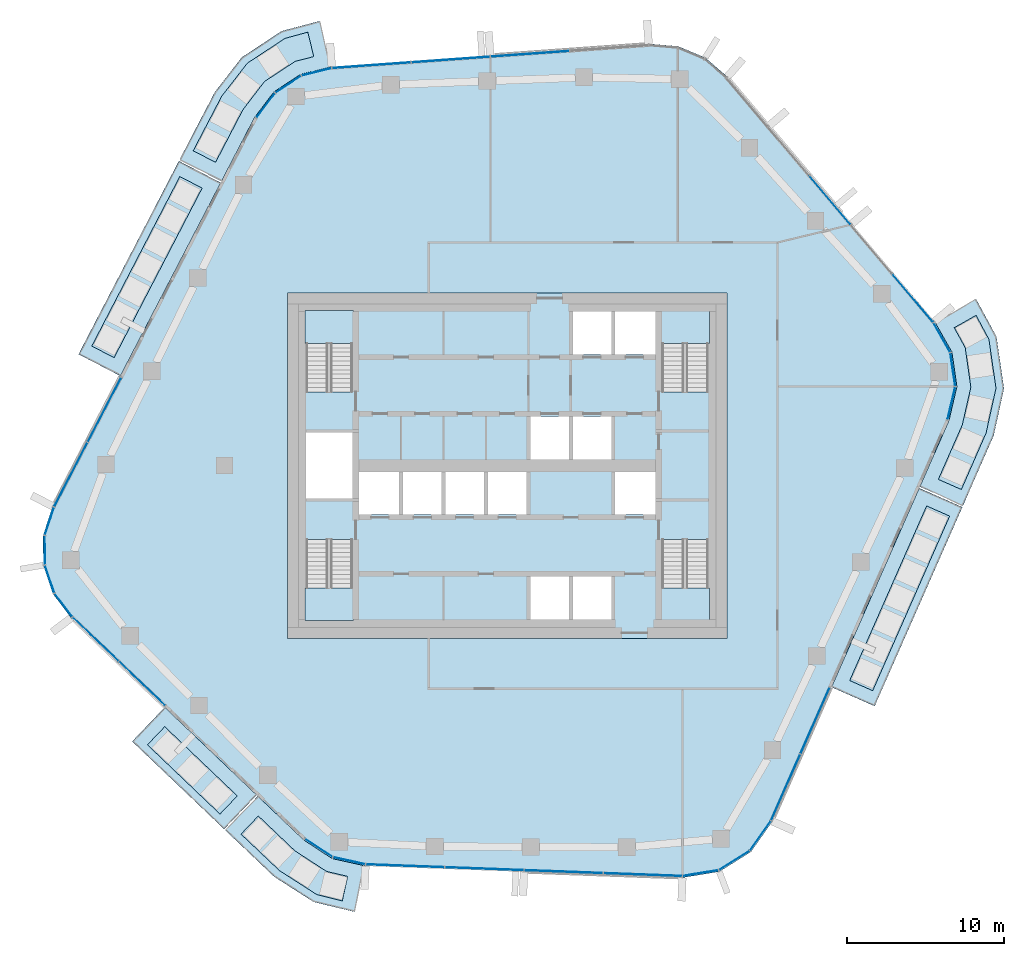
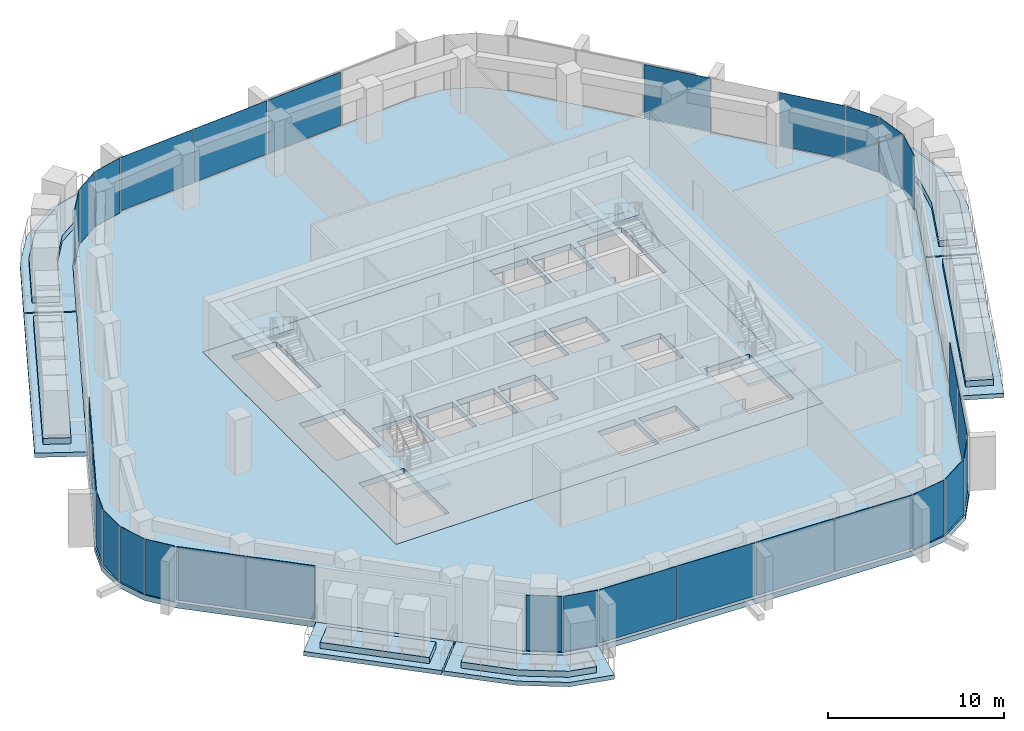
# One storey, part 10 of 21: 30 plates, 18 slabs, 15 elements without a shape of their own.
"""IFC4 building model written with IfcOpenShell, lengths in metres."""

from ifc_helpers import new_model, si_unit, direction, frame, origin, origin_2d, place, context, subcontext, project, spatial, polyline, rectangle, outline, extrude, material, layer, layer_set, type_object, element, aggregate, save


model = new_model("IFC4")

# Units and contexts
model_context = context("Model", 3, precision=1e-05, world=origin(), true_north=direction((0.0, 1.0)))
body_context = subcontext(model_context, "Body", "Model", "MODEL_VIEW")
ifc_project = project(units=[si_unit("LENGTHUNIT", "METRE"), si_unit("AREAUNIT", "SQUARE_METRE"), si_unit("VOLUMEUNIT", "CUBIC_METRE"), si_unit("PLANEANGLEUNIT", "RADIAN"), si_unit("MASSUNIT", "GRAM", prefix="KILO")], contexts=[model_context])

# Site, building, storey
site_placement = place(None, origin())
site = spatial("IfcSite", under=ifc_project, at=site_placement, CompositionType="ELEMENT")
building_placement = place(site_placement, origin())
building = spatial("IfcBuilding", under=site, at=building_placement, Name="Dongbaek Canopy Tower", CompositionType="ELEMENT")
storey_placement = place(building_placement, frame((0.0, 0.0, 274.800048828125)))
storey = spatial("IfcBuildingStorey", under=building, at=storey_placement, Name="L58", CompositionType="ELEMENT", Elevation=274.800048828125)

# Slabs
ifc_material_1 = material(Name="Concrete C40/50", Category="concrete")
ifc_layer_1 = layer(ifc_material_1, 0.300048828125)
ifc_layer_set_1 = layer_set([ifc_layer_1], Name="Balcony slab 300")
slab_type_1 = type_object("IfcSlabType", Name="Balcony slab 300", PredefinedType="FLOOR", material=ifc_layer_set_1)
slab_1_placement = place(storey_placement, frame((0.0, 0.0, -0.300048828125)))
element("IfcSlab", 1, at=slab_1_placement, inside=storey, type_object=slab_type_1, Name="Balcony L58 1", PredefinedType="FLOOR", context=body_context, shape_type="SweptSolid", body=[
    extrude(outline(polyline([(-18.2392578125, 18.005859375), (-24.62646484375, 5.70703125), (-27.288818359375, 7.089599609375), (-20.901611328125, 19.388671875), (-18.2392578125, 18.005859375)])), origin(), (0.0, 0.0, 1.0), 0.300048828125),
])
slab_2_placement = place(storey_placement, frame((0.0, 0.0, -0.300048828125)))
element("IfcSlab", 2, at=slab_2_placement, inside=storey, type_object=slab_type_1, Name="Balcony L58 5", PredefinedType="FLOOR", context=body_context, shape_type="SweptSolid", body=[
    extrude(outline(polyline([(-11.22607421875, 25.386962890625), (-13.148681640625, 24.91259765625), (-14.8447265625, 23.797119140625), (-16.07177734375, 22.1796875), (-18.193115234375, 18.0947265625), (-20.85546875, 19.477294921875), (-18.607177734375, 23.783203125), (-16.8935546875, 25.98828125), (-14.349365234375, 27.661865234375), (-11.9443359375, 28.299560546875), (-11.22607421875, 25.386962890625)])), origin(), (0.0, 0.0, 1.0), 0.300048828125),
])
slab_3_placement = place(storey_placement, frame((0.0, 0.0, -0.300048828125)))
element("IfcSlab", 3, at=slab_3_placement, inside=storey, type_object=slab_type_1, Name="Balcony L58 2", PredefinedType="FLOOR", context=body_context, shape_type="SweptSolid", body=[
    extrude(outline(polyline([(-21.800048828125, -15.386962890625), (-15.9521484375, -20.96923828125), (-18.023681640625, -23.13916015625), (-23.87158203125, -17.55712890625), (-21.800048828125, -15.386962890625)])), origin(), (0.0, 0.0, 1.0), 0.300048828125),
])
slab_4_placement = place(storey_placement, frame((0.0, 0.0, -0.300048828125)))
element("IfcSlab", 4, at=slab_4_placement, inside=storey, type_object=slab_type_1, Name="Balcony L58 6", PredefinedType="FLOOR", context=body_context, shape_type="SweptSolid", body=[
    extrude(outline(polyline([(-15.8798828125, -21.0380859375), (-12.9560546875, -23.829345703125), (-11.14697265625, -25.0166015625), (-9.083251953125, -25.474365234375), (-9.732666015625, -28.403076171875), (-12.31396484375, -27.7802734375), (-14.822509765625, -26.177978515625), (-17.951416015625, -23.208251953125), (-15.8798828125, -21.0380859375)])), origin(), (0.0, 0.0, 1.0), 0.300048828125),
])
slab_5_placement = place(storey_placement, frame((0.0, 0.0, -0.300048828125)))
element("IfcSlab", 5, at=slab_5_placement, inside=storey, type_object=slab_type_1, Name="Balcony L58 3", PredefinedType="FLOOR", context=body_context, shape_type="SweptSolid", body=[
    extrude(outline(polyline([(20.642333984375, -14.1015625), (26.225341796875, -1.43310546875), (28.970703125, -2.64306640625), (23.387451171875, -15.3115234375), (20.642333984375, -14.1015625)])), origin(), (0.0, 0.0, 1.0), 0.300048828125),
])
slab_6_placement = place(storey_placement, frame((0.0, 0.0, -0.300048828125)))
element("IfcSlab", 6, at=slab_6_placement, inside=storey, type_object=slab_type_1, Name="Balcony L58 4", PredefinedType="FLOOR", context=body_context, shape_type="SweptSolid", body=[
    extrude(outline(polyline([(26.265869140625, -1.341552734375), (28.1201171875, 2.865966796875), (28.624267578125, 5.030029296875), (28.30615234375, 7.2294921875), (27.234130859375, 9.11865234375), (29.84326171875, 10.59912109375), (31.144287109375, 8.201171875), (31.62158203125, 4.90234375), (30.966064453125, 1.91650390625), (29.010986328125, -2.551513671875), (26.265869140625, -1.341552734375)])), origin(), (0.0, 0.0, 1.0), 0.300048828125),
])

# Curtain wall, plates
ifc_material_2 = material(Name="Aluminium 6063-T6 pale anodised", Category="aluminium")
ifc_layer_2 = layer(ifc_material_2, 0.199951171875)
ifc_layer_set_2 = layer_set([ifc_layer_2], Name="CW-1 unitised tower curtain wall")
curtain_wall_type = type_object("IfcCurtainWallType", Name="CW-1 unitised tower curtain wall", PredefinedType="NOTDEFINED", material=ifc_layer_set_2)
curtain_wall_1_placement = place(storey_placement, origin())
curtain_wall_1 = element("IfcCurtainWall", 7, at=curtain_wall_1_placement, inside=storey, type_object=curtain_wall_type, Name="CW-1 curtain wall K0.1", PredefinedType="NOTDEFINED")
ifc_material_3 = material(Name="Clear laminated glass", Category="glass")
ifc_layer_3 = layer(ifc_material_3, 0.028076171875)
ifc_layer_set_3 = layer_set([ifc_layer_3], Name="CW-1 glazed panel 28")
plate_type = type_object("IfcPlateType", Name="CW-1 glazed panel 28", PredefinedType="CURTAIN_PANEL", material=ifc_layer_set_3)
plate_1_placement = place(storey_placement, frame((28.273681640625, 3.966064453125, 0.0), z_axis=(0.0, 0.0, 1.0), x_axis=(0.226862667596, 0.973926758053, 0.0)))
plate_1 = element("IfcPlate", 8, at=plate_1_placement, type_object=plate_type, Name="CW-1 panel K0.1.1.1", PredefinedType="CURTAIN_PANEL", context=body_context, shape_type="SweptSolid", body=[
    extrude(rectangle(XDim=2.10986328125, YDim=0.028076171875, at=origin_2d()), origin(), (0.0, 0.0, 1.0), 3.820068359375),
])
plate_2_placement = place(storey_placement, frame((28.3662109375, 6.115478515625, 0.0), z_axis=(0.0, 0.0, 1.0), x_axis=(-0.143155314124, 0.989700235444, 0.0)))
plate_2 = element("IfcPlate", 9, at=plate_2_placement, type_object=plate_type, Name="CW-1 panel K0.1.2.1", PredefinedType="CURTAIN_PANEL", context=body_context, shape_type="SweptSolid", body=[
    extrude(rectangle(XDim=2.100341796875, YDim=0.028076171875, at=origin_2d()), origin(), (0.0, 0.0, 1.0), 3.820068359375),
])
plate_3_placement = place(storey_placement, frame((27.66845703125, 8.150390625, 0.0), z_axis=(0.0, 0.0, 1.0), x_axis=(-0.493537811004, 0.869724340874, 0.0)))
plate_3 = element("IfcPlate", 10, at=plate_3_placement, type_object=plate_type, Name="CW-1 panel K0.1.3.1", PredefinedType="CURTAIN_PANEL", context=body_context, shape_type="SweptSolid", body=[
    extrude(rectangle(XDim=2.10986328125, YDim=0.028076171875, at=origin_2d()), origin(), (0.0, 0.0, 1.0), 3.820068359375),
])
aggregate(curtain_wall_1, [plate_1, plate_2, plate_3])

curtain_wall_2_placement = place(storey_placement, origin())
curtain_wall_2 = element("IfcCurtainWall", 11, at=curtain_wall_2_placement, inside=storey, type_object=curtain_wall_type, Name="CW-1 curtain wall F0.1", PredefinedType="NOTDEFINED")
plate_4_placement = place(storey_placement, frame((25.811279296875, 10.6591796875, 0.1201171875), z_axis=(0.0, 0.0, 1.0), x_axis=(-0.646055122273, 0.763290756517, 0.0)))
plate_4 = element("IfcPlate", 12, at=plate_4_placement, type_object=plate_type, Name="CW-1 panel F0.1.1.1", PredefinedType="CURTAIN_PANEL", context=body_context, shape_type="SweptSolid", body=[
    extrude(rectangle(XDim=3.9892578125, YDim=0.028076171875, at=origin_2d()), origin(), (0.0, 0.0, 1.0), 3.699951171875),
])
plate_5_placement = place(storey_placement, frame((20.539306640625, 16.8876953125, 0.1201171875), z_axis=(0.0, 0.0, 1.0), x_axis=(-0.646055122273, 0.763290756517, 0.0)))
plate_5 = element("IfcPlate", 13, at=plate_5_placement, type_object=plate_type, Name="CW-1 panel F0.1.3.1", PredefinedType="CURTAIN_PANEL", context=body_context, shape_type="SweptSolid", body=[
    extrude(rectangle(XDim=3.99853515625, YDim=0.028076171875, at=origin_2d()), origin(), (0.0, 0.0, 1.0), 3.699951171875),
])
aggregate(curtain_wall_2, [plate_4, plate_5])

curtain_wall_3_placement = place(storey_placement, origin())
curtain_wall_3 = element("IfcCurtainWall", 14, at=curtain_wall_3_placement, inside=storey, type_object=curtain_wall_type, Name="CW-1 curtain wall F1.1", PredefinedType="NOTDEFINED")
plate_6_placement = place(storey_placement, frame((1.44775390625, 26.206787109375, 0.1201171875), z_axis=(0.0, 0.0, 1.0), x_axis=(-0.997423073198, -0.07174408026, 0.0)))
plate_6 = element("IfcPlate", 15, at=plate_6_placement, type_object=plate_type, Name="CW-1 panel F1.1.2.1", PredefinedType="CURTAIN_PANEL", context=body_context, shape_type="SweptSolid", body=[
    extrude(rectangle(XDim=4.976318359375, YDim=0.028076171875, at=origin_2d()), origin(), (0.0, 0.0, 1.0), 3.699951171875),
])
plate_7_placement = place(storey_placement, frame((-3.599365234375, 25.84375, 0.1201171875), z_axis=(0.0, 0.0, 1.0), x_axis=(-0.997423073198, -0.07174408026, 0.0)))
plate_7 = element("IfcPlate", 16, at=plate_7_placement, type_object=plate_type, Name="CW-1 panel F1.1.3.1", PredefinedType="CURTAIN_PANEL", context=body_context, shape_type="SweptSolid", body=[
    extrude(rectangle(XDim=4.976318359375, YDim=0.028076171875, at=origin_2d()), origin(), (0.0, 0.0, 1.0), 3.699951171875),
])
plate_8_placement = place(storey_placement, frame((-8.642333984375, 25.48095703125, 0.1201171875), z_axis=(0.0, 0.0, 1.0), x_axis=(-0.997423073198, -0.07174408026, 0.0)))
plate_8 = element("IfcPlate", 17, at=plate_8_placement, type_object=plate_type, Name="CW-1 panel F1.1.4.1", PredefinedType="CURTAIN_PANEL", context=body_context, shape_type="SweptSolid", body=[
    extrude(rectangle(XDim=4.9677734375, YDim=0.028076171875, at=origin_2d()), origin(), (0.0, 0.0, 1.0), 3.699951171875),
])
aggregate(curtain_wall_3, [plate_6, plate_7, plate_8])

curtain_wall_4_placement = place(storey_placement, origin())
curtain_wall_4 = element("IfcCurtainWall", 18, at=curtain_wall_4_placement, inside=storey, type_object=curtain_wall_type, Name="CW-1 curtain wall K2.1", PredefinedType="NOTDEFINED")
plate_9_placement = place(storey_placement, frame((-12.135009765625, 25.059814453125, 0.0), z_axis=(0.0, 0.0, 1.0), x_axis=(-0.970907015511, -0.239456817049, 0.0)))
plate_9 = element("IfcPlate", 19, at=plate_9_placement, type_object=plate_type, Name="CW-1 panel K2.1.1.1", PredefinedType="CURTAIN_PANEL", context=body_context, shape_type="SweptSolid", body=[
    extrude(rectangle(XDim=1.92041015625, YDim=0.028076171875, at=origin_2d()), origin(), (0.0, 0.0, 1.0), 3.820068359375),
])
plate_10_placement = place(storey_placement, frame((-13.941650390625, 24.271240234375, 0.0), z_axis=(0.0, 0.0, 1.0), x_axis=(-0.835470720446, -0.549534962743, 0.0)))
plate_10 = element("IfcPlate", 20, at=plate_10_placement, type_object=plate_type, Name="CW-1 panel K2.1.2.1", PredefinedType="CURTAIN_PANEL", context=body_context, shape_type="SweptSolid", body=[
    extrude(rectangle(XDim=1.911865234375, YDim=0.028076171875, at=origin_2d()), origin(), (0.0, 0.0, 1.0), 3.820068359375),
])
plate_11_placement = place(storey_placement, frame((-15.38134765625, 22.92431640625, 0.0), z_axis=(0.0, 0.0, 1.0), x_axis=(-0.604380174138, -0.796696055663, 0.0)))
plate_11 = element("IfcPlate", 21, at=plate_11_placement, type_object=plate_type, Name="CW-1 panel K2.1.3.1", PredefinedType="CURTAIN_PANEL", context=body_context, shape_type="SweptSolid", body=[
    extrude(rectangle(XDim=1.92041015625, YDim=0.028076171875, at=origin_2d()), origin(), (0.0, 0.0, 1.0), 3.820068359375),
])
aggregate(curtain_wall_4, [plate_9, plate_10, plate_11])

curtain_wall_5_placement = place(storey_placement, origin())
curtain_wall_5 = element("IfcCurtainWall", 22, at=curtain_wall_5_placement, inside=storey, type_object=curtain_wall_type, Name="CW-1 curtain wall F2.1", PredefinedType="NOTDEFINED")
plate_12_placement = place(storey_placement, frame((-25.633056640625, 3.5517578125, 0.1201171875), z_axis=(0.0, 0.0, 1.0), x_axis=(-0.460880465591, -0.887462222541, 0.0)))
plate_12 = element("IfcPlate", 23, at=plate_12_placement, type_object=plate_type, Name="CW-1 panel F2.1.1.1", PredefinedType="CURTAIN_PANEL", context=body_context, shape_type="SweptSolid", body=[
    extrude(rectangle(XDim=4.56884765625, YDim=0.028076171875, at=origin_2d()), origin(), (0.0, 0.0, 1.0), 3.699951171875),
])
plate_13_placement = place(storey_placement, frame((-27.775390625, -0.57373046875, 0.1201171875), z_axis=(0.0, 0.0, 1.0), x_axis=(-0.460880465591, -0.887462222541, 0.0)))
plate_13 = element("IfcPlate", 24, at=plate_13_placement, type_object=plate_type, Name="CW-1 panel F2.1.2.1", PredefinedType="CURTAIN_PANEL", context=body_context, shape_type="SweptSolid", body=[
    extrude(rectangle(XDim=4.560791015625, YDim=0.028076171875, at=origin_2d()), origin(), (0.0, 0.0, 1.0), 3.699951171875),
])
aggregate(curtain_wall_5, [plate_12, plate_13])

curtain_wall_6_placement = place(storey_placement, origin())
curtain_wall_6 = element("IfcCurtainWall", 25, at=curtain_wall_6_placement, inside=storey, type_object=curtain_wall_type, Name="CW-1 curtain wall K3.1", PredefinedType="NOTDEFINED")
plate_14_placement = place(storey_placement, frame((-29.142822265625, -3.53662109375, 0.0), z_axis=(0.0, 0.0, 1.0), x_axis=(-0.312699253045, -0.949852186998, 0.0)))
plate_14 = element("IfcPlate", 26, at=plate_14_placement, type_object=plate_type, Name="CW-1 panel K3.1.1.1", PredefinedType="CURTAIN_PANEL", context=body_context, shape_type="SweptSolid", body=[
    extrude(rectangle(XDim=1.814697265625, YDim=0.028076171875, at=origin_2d()), origin(), (0.0, 0.0, 1.0), 3.820068359375),
])
plate_15_placement = place(storey_placement, frame((-29.43603515625, -5.3837890625, 0.0), z_axis=(0.0, 0.0, 1.0), x_axis=(0.003873700922, -0.999992497192, 0.0)))
plate_15 = element("IfcPlate", 27, at=plate_15_placement, type_object=plate_type, Name="CW-1 panel K3.1.2.1", PredefinedType="CURTAIN_PANEL", context=body_context, shape_type="SweptSolid", body=[
    extrude(rectangle(XDim=1.806640625, YDim=0.028076171875, at=origin_2d()), origin(), (0.0, 0.0, 1.0), 3.820068359375),
])
plate_16_placement = place(storey_placement, frame((-29.129638671875, -7.224609375, 0.0), z_axis=(0.0, 0.0, 1.0), x_axis=(0.320048699964, -0.947401092279, 0.0)))
plate_16 = element("IfcPlate", 28, at=plate_16_placement, type_object=plate_type, Name="CW-1 panel K3.1.3.1", PredefinedType="CURTAIN_PANEL", context=body_context, shape_type="SweptSolid", body=[
    extrude(rectangle(XDim=1.806640625, YDim=0.028076171875, at=origin_2d()), origin(), (0.0, 0.0, 1.0), 3.820068359375),
])
plate_17_placement = place(storey_placement, frame((-28.25439453125, -8.87744140625, 0.0), z_axis=(0.0, 0.0, 1.0), x_axis=(0.603344300453, -0.797480818021, 0.0)))
plate_17 = element("IfcPlate", 29, at=plate_17_placement, type_object=plate_type, Name="CW-1 panel K3.1.4.1", PredefinedType="CURTAIN_PANEL", context=body_context, shape_type="SweptSolid", body=[
    extrude(rectangle(XDim=1.814697265625, YDim=0.028076171875, at=origin_2d()), origin(), (0.0, 0.0, 1.0), 3.820068359375),
])
aggregate(curtain_wall_6, [plate_14, plate_15, plate_16, plate_17])

curtain_wall_7_placement = place(storey_placement, origin())
curtain_wall_7 = element("IfcCurtainWall", 30, at=curtain_wall_7_placement, inside=storey, type_object=curtain_wall_type, Name="CW-1 curtain wall F3.1", PredefinedType="NOTDEFINED")
plate_18_placement = place(storey_placement, frame((-26.204345703125, -11.044677734375, 0.1201171875), z_axis=(0.0, 0.0, 1.0), x_axis=(0.723349933562, -0.690481624386, 0.0)))
plate_18 = element("IfcPlate", 31, at=plate_18_placement, type_object=plate_type, Name="CW-1 panel F3.1.1.1", PredefinedType="CURTAIN_PANEL", context=body_context, shape_type="SweptSolid", body=[
    extrude(rectangle(XDim=4.000244140625, YDim=0.028076171875, at=origin_2d()), origin(), (0.0, 0.0, 1.0), 3.699951171875),
])
plate_19_placement = place(storey_placement, frame((-23.247314453125, -13.867431640625, 0.1201171875), z_axis=(0.0, 0.0, 1.0), x_axis=(0.723349933562, -0.690481624386, 0.0)))
plate_19 = element("IfcPlate", 32, at=plate_19_placement, type_object=plate_type, Name="CW-1 panel F3.1.2.1", PredefinedType="CURTAIN_PANEL", context=body_context, shape_type="SweptSolid", body=[
    extrude(rectangle(XDim=4.00830078125, YDim=0.028076171875, at=origin_2d()), origin(), (0.0, 0.0, 1.0), 3.699951171875),
])
aggregate(curtain_wall_7, [plate_18, plate_19])

curtain_wall_8_placement = place(storey_placement, origin())
curtain_wall_8 = element("IfcCurtainWall", 33, at=curtain_wall_8_placement, inside=storey, type_object=curtain_wall_type, Name="CW-1 curtain wall K4.1", PredefinedType="NOTDEFINED")
plate_20_placement = place(storey_placement, frame((-12.00048828125, -24.3369140625, 0.0), z_axis=(0.0, 0.0, 1.0), x_axis=(0.836003900743, -0.548723498624, 0.0)))
plate_20 = element("IfcPlate", 34, at=plate_20_placement, type_object=plate_type, Name="CW-1 panel K4.1.1.1", PredefinedType="CURTAIN_PANEL", context=body_context, shape_type="SweptSolid", body=[
    extrude(rectangle(XDim=2.052490234375, YDim=0.028076171875, at=origin_2d()), origin(), (0.0, 0.0, 1.0), 3.820068359375),
])
plate_21_placement = place(storey_placement, frame((-10.064453125, -25.154296875, 0.0), z_axis=(0.0, 0.0, 1.0), x_axis=(0.976288604328, -0.216473003073, 0.0)))
plate_21 = element("IfcPlate", 35, at=plate_21_placement, type_object=plate_type, Name="CW-1 panel K4.1.2.1", PredefinedType="CURTAIN_PANEL", context=body_context, shape_type="SweptSolid", body=[
    extrude(rectangle(XDim=2.052490234375, YDim=0.028076171875, at=origin_2d()), origin(), (0.0, 0.0, 1.0), 3.820068359375),
])
aggregate(curtain_wall_8, [plate_20, plate_21])

curtain_wall_9_placement = place(storey_placement, origin())
curtain_wall_9 = element("IfcCurtainWall", 36, at=curtain_wall_9_placement, inside=storey, type_object=curtain_wall_type, Name="CW-1 curtain wall F4.1", PredefinedType="NOTDEFINED")
plate_22_placement = place(storey_placement, frame((-6.501708984375, -25.478515625, 0.1201171875), z_axis=(0.0, 0.0, 1.0), x_axis=(0.999319926798, -0.036873891921, 0.0)))
plate_22 = element("IfcPlate", 37, at=plate_22_placement, type_object=plate_type, Name="CW-1 panel F4.1.1.1", PredefinedType="CURTAIN_PANEL", context=body_context, shape_type="SweptSolid", body=[
    extrude(rectangle(XDim=4.959228515625, YDim=0.028076171875, at=origin_2d()), origin(), (0.0, 0.0, 1.0), 3.699951171875),
])
plate_23_placement = place(storey_placement, frame((-1.457275390625, -25.66455078125, 0.1201171875), z_axis=(0.0, 0.0, 1.0), x_axis=(0.999319926798, -0.036873891921, 0.0)))
plate_23 = element("IfcPlate", 38, at=plate_23_placement, type_object=plate_type, Name="CW-1 panel F4.1.2.1", PredefinedType="CURTAIN_PANEL", context=body_context, shape_type="SweptSolid", body=[
    extrude(rectangle(XDim=4.96826171875, YDim=0.028076171875, at=origin_2d()), origin(), (0.0, 0.0, 1.0), 3.699951171875),
])
plate_24_placement = place(storey_placement, frame((3.591552734375, -25.850830078125, 0.1201171875), z_axis=(0.0, 0.0, 1.0), x_axis=(0.999319926798, -0.036873891921, 0.0)))
plate_24 = element("IfcPlate", 39, at=plate_24_placement, type_object=plate_type, Name="CW-1 panel F4.1.3.1", PredefinedType="CURTAIN_PANEL", context=body_context, shape_type="SweptSolid", body=[
    extrude(rectangle(XDim=4.96826171875, YDim=0.028076171875, at=origin_2d()), origin(), (0.0, 0.0, 1.0), 3.699951171875),
])
plate_25_placement = place(storey_placement, frame((8.635498046875, -26.037109375, 0.1201171875), z_axis=(0.0, 0.0, 1.0), x_axis=(0.999319926798, -0.036873891921, 0.0)))
plate_25 = element("IfcPlate", 40, at=plate_25_placement, type_object=plate_type, Name="CW-1 panel F4.1.4.1", PredefinedType="CURTAIN_PANEL", context=body_context, shape_type="SweptSolid", body=[
    extrude(rectangle(XDim=4.95849609375, YDim=0.028076171875, at=origin_2d()), origin(), (0.0, 0.0, 1.0), 3.699951171875),
])
aggregate(curtain_wall_9, [plate_22, plate_23, plate_24, plate_25])

curtain_wall_10_placement = place(storey_placement, origin())
curtain_wall_10 = element("IfcCurtainWall", 41, at=curtain_wall_10_placement, inside=storey, type_object=curtain_wall_type, Name="CW-1 curtain wall K5.1", PredefinedType="NOTDEFINED")
plate_26_placement = place(storey_placement, frame((12.309326171875, -25.94140625, 0.0), z_axis=(0.0, 0.0, 1.0), x_axis=(0.986926076435, 0.161173569958, 0.0)))
plate_26 = element("IfcPlate", 42, at=plate_26_placement, type_object=plate_type, Name="CW-1 panel K5.1.1.1", PredefinedType="CURTAIN_PANEL", context=body_context, shape_type="SweptSolid", body=[
    extrude(rectangle(XDim=2.25537109375, YDim=0.028076171875, at=origin_2d()), origin(), (0.0, 0.0, 1.0), 3.820068359375),
])
plate_27_placement = place(storey_placement, frame((14.450927734375, -25.135009765625, 0.0), z_axis=(0.0, 0.0, 1.0), x_axis=(0.847571829361, 0.530680689373, 0.0)))
plate_27 = element("IfcPlate", 43, at=plate_27_placement, type_object=plate_type, Name="CW-1 panel K5.1.2.1", PredefinedType="CURTAIN_PANEL", context=body_context, shape_type="SweptSolid", body=[
    extrude(rectangle(XDim=2.2451171875, YDim=0.028076171875, at=origin_2d()), origin(), (0.0, 0.0, 1.0), 3.820068359375),
])
plate_28_placement = place(storey_placement, frame((16.11181640625, -23.560791015625, 0.0), z_axis=(0.0, 0.0, 1.0), x_axis=(0.576034418085, 0.817425439524, 0.0)))
plate_28 = element("IfcPlate", 44, at=plate_28_placement, type_object=plate_type, Name="CW-1 panel K5.1.3.1", PredefinedType="CURTAIN_PANEL", context=body_context, shape_type="SweptSolid", body=[
    extrude(rectangle(XDim=2.25537109375, YDim=0.028076171875, at=origin_2d()), origin(), (0.0, 0.0, 1.0), 3.820068359375),
])
aggregate(curtain_wall_10, [plate_26, plate_27, plate_28])

curtain_wall_11_placement = place(storey_placement, origin())
curtain_wall_11 = element("IfcCurtainWall", 45, at=curtain_wall_11_placement, inside=storey, type_object=curtain_wall_type, Name="CW-1 curtain wall F5.1", PredefinedType="NOTDEFINED")
plate_29_placement = place(storey_placement, frame((17.720703125, -20.482421875, 0.1201171875), z_axis=(0.0, 0.0, 1.0), x_axis=(0.403287969917, 0.915073119112, 0.0)))
plate_29 = element("IfcPlate", 46, at=plate_29_placement, type_object=plate_type, Name="CW-1 panel F5.1.1.1", PredefinedType="CURTAIN_PANEL", context=body_context, shape_type="SweptSolid", body=[
    extrude(rectangle(XDim=4.55419921875, YDim=0.028076171875, at=origin_2d()), origin(), (0.0, 0.0, 1.0), 3.699951171875),
])
plate_30_placement = place(storey_placement, frame((19.59326171875, -16.233642578125, 0.1201171875), z_axis=(0.0, 0.0, 1.0), x_axis=(0.403287969917, 0.915073119112, 0.0)))
plate_30 = element("IfcPlate", 47, at=plate_30_placement, type_object=plate_type, Name="CW-1 panel F5.1.2.1", PredefinedType="CURTAIN_PANEL", context=body_context, shape_type="SweptSolid", body=[
    extrude(rectangle(XDim=4.564208984375, YDim=0.028076171875, at=origin_2d()), origin(), (0.0, 0.0, 1.0), 3.699951171875),
])
aggregate(curtain_wall_11, [plate_29, plate_30])

# Slab
ifc_material_4 = material(Name="Concrete C40/50", Category="concrete")
ifc_layer_4 = layer(ifc_material_4, 0.3798828125)
ifc_layer_set_4 = layer_set([ifc_layer_4], Name="Core floor slab 380 Concrete C40/50")
slab_type_2 = type_object("IfcSlabType", Name="Core floor slab 380 Concrete C40/50", PredefinedType="FLOOR", material=ifc_layer_set_4)
slab_7_placement = place(storey_placement, frame((0.0, 0.0, -0.380126953125)))
element("IfcSlab", 48, at=slab_7_placement, inside=storey, type_object=slab_type_2, Name="Core floor slab L58", PredefinedType="FLOOR", context=body_context, shape_type="SweptSolid", body=[
    extrude(outline(polyline([(14.0, -11.0), (14.0, 11.0), (-14.0, 11.0), (-14.0, -11.0), (14.0, -11.0)]), holes=[polyline([(-12.800048828125, 2.10009765625), (-9.85009765625, 2.10009765625), (-9.85009765625, -2.10009765625), (-12.800048828125, -2.10009765625), (-12.800048828125, 2.10009765625)]), polyline([(6.625, 9.800048828125), (6.625, 7.074951171875), (4.175048828125, 7.074951171875), (4.175048828125, 9.800048828125), (6.625, 9.800048828125)]), polyline([(9.449951171875, 7.074951171875), (6.875, 7.074951171875), (6.875, 9.800048828125), (9.449951171875, 9.800048828125), (9.449951171875, 7.074951171875)]), polyline([(1.47509765625, 0.39990234375), (1.47509765625, 3.125), (3.925048828125, 3.125), (3.925048828125, 0.39990234375), (1.47509765625, 0.39990234375)]), polyline([(4.175048828125, 0.39990234375), (4.175048828125, 3.125), (6.625, 3.125), (6.625, 0.39990234375), (4.175048828125, 0.39990234375)]), polyline([(-9.449951171875, -0.39990234375), (-6.875, -0.39990234375), (-6.875, -3.125), (-9.449951171875, -3.125), (-9.449951171875, -0.39990234375)]), polyline([(-6.625, -3.125), (-6.625, -0.39990234375), (-4.175048828125, -0.39990234375), (-4.175048828125, -3.125), (-6.625, -3.125)]), polyline([(-3.925048828125, -3.125), (-3.925048828125, -0.39990234375), (-1.47509765625, -0.39990234375), (-1.47509765625, -3.125), (-3.925048828125, -3.125)]), polyline([(-1.22509765625, -3.125), (-1.22509765625, -0.39990234375), (1.22509765625, -0.39990234375), (1.22509765625, -3.125), (-1.22509765625, -3.125)]), polyline([(9.449951171875, -3.125), (6.875, -3.125), (6.875, -0.39990234375), (9.449951171875, -0.39990234375), (9.449951171875, -3.125)]), polyline([(1.47509765625, -9.800048828125), (1.47509765625, -7.074951171875), (3.925048828125, -7.074951171875), (3.925048828125, -9.800048828125), (1.47509765625, -9.800048828125)]), polyline([(4.175048828125, -9.800048828125), (4.175048828125, -7.074951171875), (6.625, -7.074951171875), (6.625, -9.800048828125), (4.175048828125, -9.800048828125)]), polyline([(12.800048828125, 4.70068359375), (12.800048828125, 9.800048828125), (9.85009765625, 9.800048828125), (9.85009765625, 4.70068359375), (12.800048828125, 4.70068359375)]), polyline([(-9.85009765625, 4.70068359375), (-9.85009765625, 9.800048828125), (-12.800048828125, 9.800048828125), (-12.800048828125, 4.70068359375), (-9.85009765625, 4.70068359375)]), polyline([(9.85009765625, -4.70068359375), (9.85009765625, -9.800048828125), (12.800048828125, -9.800048828125), (12.800048828125, -4.70068359375), (9.85009765625, -4.70068359375)]), polyline([(-12.800048828125, -4.70068359375), (-12.800048828125, -9.800048828125), (-9.85009765625, -9.800048828125), (-9.85009765625, -4.70068359375), (-12.800048828125, -4.70068359375)])]), origin(), (0.0, 0.0, 1.0), 0.380126953125),
])

# Stair, slab
ifc_material_5 = material(Name="Concrete C40/50", Category="concrete")
stair_type = type_object("IfcStairType", Name="Core exit stair", PredefinedType="HALF_TURN_STAIR", material=ifc_material_5)
stair_1_placement = place(storey_placement, origin())
stair_1 = element("IfcStair", 49, at=stair_1_placement, inside=storey, type_object=stair_type, Name="L58 exit stair A", PredefinedType="HALF_TURN_STAIR")
ifc_material_6 = material(Name="Concrete C40/50", Category="concrete")
ifc_layer_5 = layer(ifc_material_6, 0.199951171875)
ifc_layer_set_5 = layer_set([ifc_layer_5], Name="Core stair landing 200")
slab_type_3 = type_object("IfcSlabType", Name="Core stair landing 200", PredefinedType="LANDING", material=ifc_layer_set_5)
slab_8_placement = place(storey_placement, frame((0.0, 0.0, 1.89990234375)))
slab_8 = element("IfcSlab", 50, at=slab_8_placement, type_object=slab_type_3, Name="ST-A landing 1", PredefinedType="LANDING", context=body_context, shape_type="SweptSolid", body=[
    extrude(outline(polyline([(12.875, 7.780029296875), (12.875, 9.875), (9.77490234375, 9.875), (9.77490234375, 7.780029296875), (12.875, 7.780029296875)])), origin(), (0.0, 0.0, 1.0), 0.199951171875),
])
aggregate(stair_1, [slab_8])

stair_2_placement = place(storey_placement, origin())
stair_2 = element("IfcStair", 51, at=stair_2_placement, inside=storey, type_object=stair_type, Name="L58 exit stair C", PredefinedType="HALF_TURN_STAIR")
slab_9_placement = place(storey_placement, frame((0.0, 0.0, 1.89990234375)))
slab_9 = element("IfcSlab", 52, at=slab_9_placement, type_object=slab_type_3, Name="ST-C landing 1", PredefinedType="LANDING", context=body_context, shape_type="SweptSolid", body=[
    extrude(outline(polyline([(-9.77490234375, 7.780029296875), (-9.77490234375, 9.875), (-12.875, 9.875), (-12.875, 7.780029296875), (-9.77490234375, 7.780029296875)])), origin(), (0.0, 0.0, 1.0), 0.199951171875),
])
aggregate(stair_2, [slab_9])

stair_3_placement = place(storey_placement, origin())
stair_3 = element("IfcStair", 53, at=stair_3_placement, inside=storey, type_object=stair_type, Name="L58 exit stair B", PredefinedType="HALF_TURN_STAIR")
slab_10_placement = place(storey_placement, frame((0.0, 0.0, 1.89990234375)))
slab_10 = element("IfcSlab", 54, at=slab_10_placement, type_object=slab_type_3, Name="ST-B landing 1", PredefinedType="LANDING", context=body_context, shape_type="SweptSolid", body=[
    extrude(outline(polyline([(9.77490234375, -7.780029296875), (9.77490234375, -9.875), (12.875, -9.875), (12.875, -7.780029296875), (9.77490234375, -7.780029296875)])), origin(), (0.0, 0.0, 1.0), 0.199951171875),
])
aggregate(stair_3, [slab_10])

stair_4_placement = place(storey_placement, origin())
stair_4 = element("IfcStair", 55, at=stair_4_placement, inside=storey, type_object=stair_type, Name="L58 exit stair D", PredefinedType="HALF_TURN_STAIR")
slab_11_placement = place(storey_placement, frame((0.0, 0.0, 1.89990234375)))
slab_11 = element("IfcSlab", 56, at=slab_11_placement, type_object=slab_type_3, Name="ST-D landing 1", PredefinedType="LANDING", context=body_context, shape_type="SweptSolid", body=[
    extrude(outline(polyline([(-12.875, -7.780029296875), (-12.875, -9.875), (-9.77490234375, -9.875), (-9.77490234375, -7.780029296875), (-12.875, -7.780029296875)])), origin(), (0.0, 0.0, 1.0), 0.199951171875),
])
aggregate(stair_4, [slab_11])

# Slabs
ifc_material_7 = material(Name="Concrete C40", Category="concrete")
ifc_layer_6 = layer(ifc_material_7, 0.3798828125)
ifc_layer_set_6 = layer_set([ifc_layer_6], Name="RC FLAT PLATE 380 Concrete C40")
slab_type_4 = type_object("IfcSlabType", Name="RC FLAT PLATE 380 Concrete C40", PredefinedType="FLOOR", material=ifc_layer_set_6)
slab_12_placement = place(storey_placement, frame((0.0, 0.0, -0.380126953125)))
element("IfcSlab", 57, at=slab_12_placement, inside=storey, type_object=slab_type_4, Name="SLAB:L58", PredefinedType="FLOOR", context=body_context, shape_type="SweptSolid", body=[
    extrude(outline(polyline([(16.873046875, -22.654052734375), (15.508056640625, -24.5908203125), (13.499755859375, -25.848388671875), (11.161376953125, -26.230224609375), (-9.034423828125, -25.485107421875), (-11.14697265625, -25.0166015625), (-12.9560546875, -23.829345703125), (-27.75634765625, -9.701416015625), (-28.916748046875, -8.167724609375), (-29.5322265625, -6.345703125), (-29.539794921875, -4.422607421875), (-28.938232421875, -2.595947265625), (-16.07177734375, 22.1796875), (-14.8447265625, 23.797119140625), (-13.148681640625, 24.91259765625), (-11.177490234375, 25.398681640625), (9.011474609375, 26.85107421875), (10.87744140625, 26.692138671875), (12.603515625, 25.9658203125), (14.021728515625, 24.742919921875), (27.20947265625, 9.162109375), (28.30615234375, 7.2294921875), (28.624267578125, 5.0302734375), (28.1201171875, 2.865966796875), (16.873046875, -22.654052734375)]), holes=[polyline([(14.0, 11.0), (-14.0, 11.0), (-14.0, -11.0), (14.0, -11.0), (14.0, 11.0)])]), origin(), (0.0, 0.0, 1.0), 0.380126953125),
])
ifc_material_8 = material(Name="Reinforced concrete C40/50 planter box with soil", Category="concrete")
ifc_layer_7 = layer(ifc_material_8, 0.419921875)
ifc_layer_set_7 = layer_set([ifc_layer_7], Name="Terrace planter box 1600 x 420")
slab_type_5 = type_object("IfcSlabType", Name="Terrace planter box 1600 x 420", PredefinedType="USERDEFINED", material=ifc_layer_set_7)
slab_13_placement = place(storey_placement, origin())
element("IfcSlab", 58, at=slab_13_placement, inside=storey, type_object=slab_type_5, Name="Balcony planter L58 1", ObjectType="PLANTER", PredefinedType="USERDEFINED", context=body_context, shape_type="SweptSolid", body=[
    extrude(outline(polyline([(-19.4208984375, 17.661865234375), (-25.0244140625, 6.871337890625), (-26.444580078125, 7.60888671875), (-20.8408203125, 18.399169921875), (-19.4208984375, 17.661865234375)])), origin(), (0.0, 0.0, 1.0), 0.419921875),
])
slab_14_placement = place(storey_placement, origin())
element("IfcSlab", 59, at=slab_14_placement, inside=storey, type_object=slab_type_5, Name="Balcony planter L58 5", ObjectType="PLANTER", PredefinedType="USERDEFINED", context=body_context, shape_type="SweptSolid", body=[
    extrude(outline(polyline([(-12.31298828125, 26.035400390625), (-13.5048828125, 25.728271484375), (-15.45263671875, 24.447021484375), (-16.823974609375, 22.6552734375), (-18.568115234375, 19.303466796875), (-19.988037109375, 20.041015625), (-18.17626953125, 23.5107421875), (-16.54541015625, 25.615966796875), (-14.145263671875, 27.194580078125), (-12.696044921875, 27.5888671875), (-12.31298828125, 26.035400390625)])), origin(), (0.0, 0.0, 1.0), 0.419921875),
])
slab_15_placement = place(storey_placement, origin())
element("IfcSlab", 60, at=slab_15_placement, inside=storey, type_object=slab_type_5, Name="Balcony planter L58 2", ObjectType="PLANTER", PredefinedType="USERDEFINED", context=body_context, shape_type="SweptSolid", body=[
    extrude(outline(polyline([(-21.7998046875, -16.61767578125), (-17.181640625, -21.026123046875), (-18.286376953125, -22.183349609375), (-22.904541015625, -17.775146484375), (-21.7998046875, -16.61767578125)])), origin(), (0.0, 0.0, 1.0), 0.419921875),
])
slab_16_placement = place(storey_placement, origin())
element("IfcSlab", 61, at=slab_16_placement, inside=storey, type_object=slab_type_5, Name="Balcony planter L58 6", ObjectType="PLANTER", PredefinedType="USERDEFINED", context=body_context, shape_type="SweptSolid", body=[
    extrude(outline(polyline([(-15.843505859375, -22.303466796875), (-13.509765625, -24.526123046875), (-11.4931640625, -25.836669921875), (-10.154541015625, -26.1484375), (-10.5009765625, -27.71044921875), (-12.115478515625, -27.310546875), (-14.505126953125, -25.778564453125), (-16.9482421875, -23.460693359375), (-15.843505859375, -22.303466796875)])), origin(), (0.0, 0.0, 1.0), 0.419921875),
])
slab_17_placement = place(storey_placement, origin())
element("IfcSlab", 62, at=slab_17_placement, inside=storey, type_object=slab_type_5, Name="Balcony planter L58 3", ObjectType="PLANTER", PredefinedType="USERDEFINED", context=body_context, shape_type="SweptSolid", body=[
    extrude(outline(polyline([(21.79931640625, -13.682861328125), (26.697021484375, -2.56982421875), (28.1611328125, -3.215087890625), (23.263427734375, -14.328125), (21.79931640625, -13.682861328125)])), origin(), (0.0, 0.0, 1.0), 0.419921875),
])
slab_18_placement = place(storey_placement, origin())
element("IfcSlab", 63, at=slab_18_placement, inside=storey, type_object=slab_type_5, Name="Balcony planter L58 4", ObjectType="PLANTER", PredefinedType="USERDEFINED", context=body_context, shape_type="SweptSolid", body=[
    extrude(outline(polyline([(27.443115234375, -0.876953125), (28.96435546875, 2.584228515625), (29.513427734375, 4.9921875), (29.148193359375, 7.517822265625), (28.452392578125, 8.775146484375), (29.843994140625, 9.564697265625), (30.661865234375, 8.0361328125), (31.112060546875, 4.924072265625), (30.482177734375, 2.078125), (28.9072265625, -1.522216796875), (27.443115234375, -0.876953125)])), origin(), (0.0, 0.0, 1.0), 0.419921875),
])

save(model, "model.ifc")
